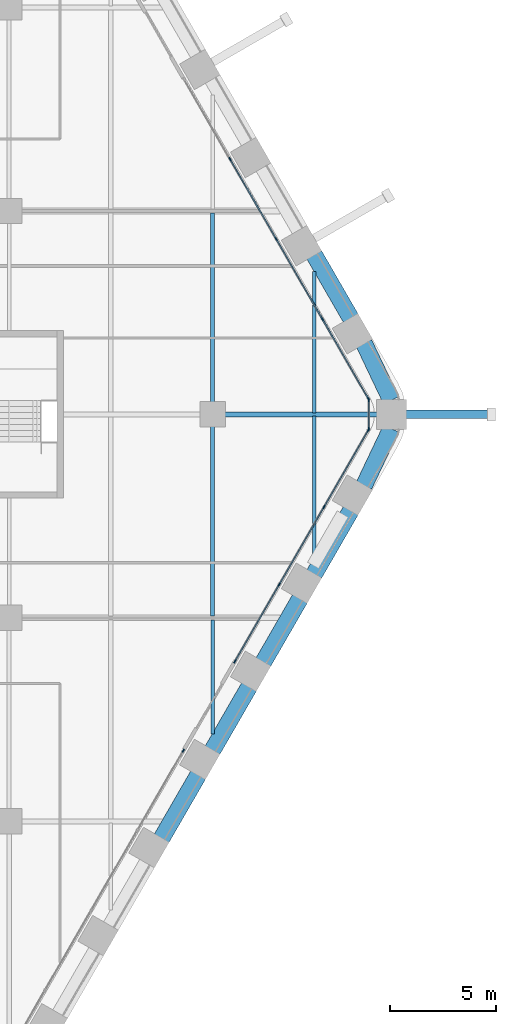
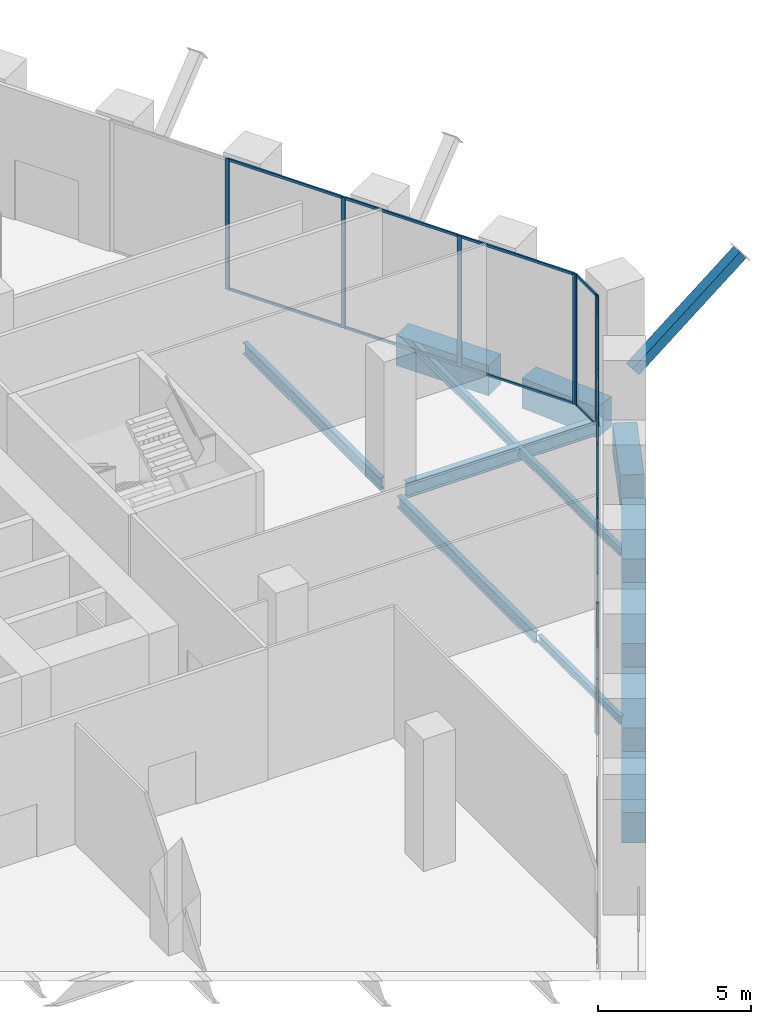
# One storey, part 11 of 29: 26 members, 13 beams, 4 elements without a shape of their own.
"""IFC4 building model written with IfcOpenShell, lengths in metres."""

from ifc_helpers import new_model, si_unit, direction, frame, origin, origin_2d, place, context, subcontext, project, spatial, rectangle, hollow_rectangle, i_section, extrude, material, material_profile, profile_set, type_object, element, aggregate, save


model = new_model("IFC4")

# Units and contexts
model_context = context("Model", 3, precision=1e-05, world=origin(), true_north=direction((0.0, 1.0)))
body_context = subcontext(model_context, "Body", "Model", "MODEL_VIEW")
ifc_project = project(units=[si_unit("LENGTHUNIT", "METRE"), si_unit("AREAUNIT", "SQUARE_METRE"), si_unit("VOLUMEUNIT", "CUBIC_METRE"), si_unit("PLANEANGLEUNIT", "RADIAN"), si_unit("MASSUNIT", "GRAM", prefix="KILO")], contexts=[model_context])

# Site, building, storey
site_placement = place(None, origin())
site = spatial("IfcSite", under=ifc_project, at=site_placement, CompositionType="ELEMENT")
building_placement = place(site_placement, origin())
building = spatial("IfcBuilding", under=site, at=building_placement, Name="Kolab Exchange Tower", CompositionType="ELEMENT")
storey_placement = place(building_placement, frame((0.0, 0.0, 33.39990234375)))
storey = spatial("IfcBuildingStorey", under=building, at=storey_placement, Name="L06", CompositionType="ELEMENT", Elevation=33.39990234375)

# Beams
ifc_material_1 = material(Name="Steel S355", Category="steel")
ifc_material_profile_1 = material_profile(ifc_material_1, i_section(OverallWidth=0.1650390625, OverallDepth=0.31005859375, WebThickness=0.005859375, FlangeThickness=0.009765625, at=origin_2d()), Name="W310X39")
ifc_profile_set_1 = profile_set([ifc_material_profile_1], Name="Steel S355")
beam_type_1 = type_object("IfcBeamType", Name="FLOOR BEAM W310X39", PredefinedType="BEAM", material=ifc_profile_set_1)
beam_1_placement = place(storey_placement, frame((28.800048828125, -15.067626953125, -0.40478515625), z_axis=(0.0, 1.0, 0.0), x_axis=(-1.0, 0.0, 0.0)))
element("IfcBeam", 1, at=beam_1_placement, inside=storey, type_object=beam_type_1, Name="beam/L06/fr/058", PredefinedType="BEAM", context=body_context, shape_type="SweptSolid", body=[
    extrude(i_section(OverallWidth=0.1650390625, OverallDepth=0.31005859375, WebThickness=0.005859375, FlangeThickness=0.009765625, at=origin_2d()), origin(), (0.0, 0.0, 1.0), 5.3740234375),
])
ifc_material_profile_2 = material_profile(ifc_material_1, i_section(OverallWidth=0.1708984375, OverallDepth=0.35498046875, WebThickness=0.007080078125, FlangeThickness=0.01171875, at=origin_2d()), Name="W360X51")
ifc_profile_set_2 = profile_set([ifc_material_profile_2], Name="Steel S355")
beam_type_2 = type_object("IfcBeamType", Name="FLOOR BEAM W360X51", PredefinedType="BEAM", material=ifc_profile_set_2)
for number, where, z_axis, x_axis, name in (
    (2, (33.60009765625, -6.75390625, -0.427490234375), (0.0, 1.0, 0.0), (-1.0, 0.0, 0.0), "beam/L06/fr/062"),
    (3, (33.60009765625, 0.073974609375, -0.427490234375), (0.0, 1.0, 0.0), (-1.0, 0.0, 0.0), "beam/L06/fr/063"),
):
    element("IfcBeam", number, at=place(storey_placement, frame(where, z_axis=z_axis, x_axis=x_axis)), inside=storey, type_object=beam_type_2, Name=name, PredefinedType="BEAM", context=body_context, shape_type="SweptSolid", body=[
        extrude(i_section(OverallWidth=0.1708984375, OverallDepth=0.35498046875, WebThickness=0.007080078125, FlangeThickness=0.01171875, at=origin_2d()), origin(), (0.0, 0.0, 1.0), 6.679931640625),
    ])
ifc_material_profile_3 = material_profile(ifc_material_1, i_section(OverallWidth=0.18994140625, OverallDepth=0.45703125, WebThickness=0.009033203125, FlangeThickness=0.014404296875, at=origin_2d()), Name="W460X74")
ifc_profile_set_3 = profile_set([ifc_material_profile_3], Name="Steel S355")
beam_type_3 = type_object("IfcBeamType", Name="FLOOR BEAM W460X74", PredefinedType="BEAM", material=ifc_profile_set_3)
for number, where, z_axis, x_axis, name in (
    (4, (28.800048828125, -9.506591796875, -0.478515625), (0.0, 1.0, 0.0), (-1.0, 0.0, 0.0), "beam/L06/fr/059"),
    (5, (28.800048828125, 0.56005859375, -0.478515625), (0.0, 1.0, 0.0), (-1.0, 0.0, 0.0), "beam/L06/fr/060"),
):
    element("IfcBeam", number, at=place(storey_placement, frame(where, z_axis=z_axis, x_axis=x_axis)), inside=storey, type_object=beam_type_3, Name=name, PredefinedType="BEAM", context=body_context, shape_type="SweptSolid", body=[
        extrude(i_section(OverallWidth=0.18994140625, OverallDepth=0.45703125, WebThickness=0.009033203125, FlangeThickness=0.014404296875, at=origin_2d()), origin(), (0.0, 0.0, 1.0), 8.946533203125),
    ])
ifc_material_profile_4 = material_profile(ifc_material_1, i_section(OverallWidth=0.22802734375, OverallDepth=0.60791015625, WebThickness=0.01123046875, FlangeThickness=0.017333984375, at=origin_2d()), Name="W610X113")
ifc_profile_set_4 = profile_set([ifc_material_profile_4], Name="Steel S355")
beam_type_4 = type_object("IfcBeamType", Name="FLOOR GIRDER W610X113", PredefinedType="BEAM", material=ifc_profile_set_4)
beam_2_placement = place(storey_placement, frame((29.360107421875, 0.0, -0.553955078125), z_axis=(1.0, 0.0, 0.0), x_axis=(0.0, 1.0, 0.0)))
element("IfcBeam", 6, at=beam_2_placement, inside=storey, type_object=beam_type_4, Name="beam/L06/gd/025", PredefinedType="BEAM", context=body_context, shape_type="SweptSolid", body=[
    extrude(i_section(OverallWidth=0.22802734375, OverallDepth=0.60791015625, WebThickness=0.01123046875, FlangeThickness=0.017333984375, at=origin_2d()), origin(), (0.0, 0.0, 1.0), 7.2158203125),
])

# Member
ifc_material_profile_5 = material_profile(ifc_material_1, hollow_rectangle(XDim=0.39990234375, YDim=0.39990234375, WallThickness=0.02001953125, at=origin_2d()), Name="HSS400X400X20")
ifc_profile_set_5 = profile_set([ifc_material_profile_5], Name="Steel S355")
member_type_1 = type_object("IfcMemberType", Name="LEDGE STRUT HSS400X400X20", PredefinedType="STRUT", material=ifc_profile_set_5)
member_1_placement = place(storey_placement, frame((37.89599609375, 0.0, 1.22802734375), z_axis=(0.780100108705, 0.0, 0.625654713399), x_axis=(0.0, 1.0, 0.0)))
element("IfcMember", 7, at=member_1_placement, inside=storey, type_object=member_type_1, Name="mem/L06/ledge/strut-8", PredefinedType="STRUT", context=body_context, shape_type="SweptSolid", body=[
    extrude(hollow_rectangle(XDim=0.39990234375, YDim=0.39990234375, WallThickness=0.02001953125, at=origin_2d()), origin(), (0.0, 0.0, 1.0), 5.178466796875),
])

# Beams
ifc_material_2 = material(Name="Concrete C80/95", Category="concrete")
ifc_material_profile_6 = material_profile(ifc_material_2, rectangle(XDim=0.800048828125, YDim=1.199951171875, at=origin_2d()), Name="RC800X1200")
ifc_profile_set_6 = profile_set([ifc_material_profile_6], Name="Concrete C80/95")
beam_type_5 = type_object("IfcBeamType", Name="SPANDREL BEAM 800X1200 C80/95", PredefinedType="BEAM", material=ifc_profile_set_6)
beam_3_placement = place(storey_placement, frame((33.58349609375, 7.542236328125, -0.849853515625), z_axis=(0.500009906705, -0.86601968407, 0.0), x_axis=(0.86601968407, 0.500009906705, 0.0)))
element("IfcBeam", 8, at=beam_3_placement, inside=storey, type_object=beam_type_5, Name="beam/L06/sp/F2-07", PredefinedType="BEAM", context=body_context, shape_type="SweptSolid", body=[
    extrude(rectangle(XDim=0.800048828125, YDim=1.199951171875, at=origin_2d()), origin(), (0.0, 0.0, 1.0), 3.47998046875),
])
for number, where, z_axis, x_axis, name in (
    (9, (35.93798828125, 3.35888671875, -0.849853515625), (0.429555669245, -0.903040379507, 0.0), (0.903040379507, 0.429555669245, 0.0), "beam/L06/sp/F2-08"),
    (10, (37.219970703125, -0.663818359375, -0.849853515625), (-0.429555669245, -0.903040379507, 0.0), (0.903040379507, -0.429555669245, 0.0), "beam/L06/sp/F3-01"),
):
    element("IfcBeam", number, at=place(storey_placement, frame(where, z_axis=z_axis, x_axis=x_axis)), inside=storey, type_object=beam_type_5, Name=name, PredefinedType="BEAM", context=body_context, shape_type="SweptSolid", body=[
        extrude(rectangle(XDim=0.800048828125, YDim=1.199951171875, at=origin_2d()), origin(), (0.0, 0.0, 1.0), 2.984375),
    ])
beam_4_placement = place(storey_placement, frame((35.323486328125, -4.528564453125, -0.849853515625), z_axis=(-0.500009906705, -0.86601968407, 0.0), x_axis=(0.86601968407, -0.500009906705, 0.0)))
element("IfcBeam", 11, at=beam_4_placement, inside=storey, type_object=beam_type_5, Name="beam/L06/sp/F3-02", PredefinedType="BEAM", context=body_context, shape_type="SweptSolid", body=[
    extrude(rectangle(XDim=0.800048828125, YDim=1.199951171875, at=origin_2d()), origin(), (0.0, 0.0, 1.0), 3.47998046875),
])
for number, where, z_axis, x_axis, name in (
    (12, (32.923583984375, -8.685302734375, -0.849853515625), (-0.499979528911, -0.866037222451, 0.0), (0.866037222451, -0.499979528911, 0.0), "beam/L06/sp/F3-03"),
    (13, (30.523681640625, -12.84228515625, -0.849853515625), (-0.499979528911, -0.866037222451, 0.0), (0.866037222451, -0.499979528911, 0.0), "beam/L06/sp/F3-04"),
):
    element("IfcBeam", number, at=place(storey_placement, frame(where, z_axis=z_axis, x_axis=x_axis)), inside=storey, type_object=beam_type_5, Name=name, PredefinedType="BEAM", context=body_context, shape_type="SweptSolid", body=[
        extrude(rectangle(XDim=0.800048828125, YDim=1.199951171875, at=origin_2d()), origin(), (0.0, 0.0, 1.0), 3.480224609375),
    ])
beam_5_placement = place(storey_placement, frame((28.12353515625, -16.999267578125, -0.849853515625), z_axis=(-0.500009906705, -0.86601968407, 0.0), x_axis=(0.86601968407, -0.500009906705, 0.0)))
element("IfcBeam", 14, at=beam_5_placement, inside=storey, type_object=beam_type_5, Name="beam/L06/sp/F3-05", PredefinedType="BEAM", context=body_context, shape_type="SweptSolid", body=[
    extrude(rectangle(XDim=0.800048828125, YDim=1.199951171875, at=origin_2d()), origin(), (0.0, 0.0, 1.0), 3.47998046875),
])

# Curtain wall, members
ifc_material_3 = material(Name="Aluminium EN AW-6063 T6", Category="aluminium")
curtain_wall_type = type_object("IfcCurtainWallType", Name="UNITISED LOW ZONE CURTAIN WALL", PredefinedType="NOTDEFINED", material=ifc_material_3)
curtain_wall_1_placement = place(storey_placement, origin())
curtain_wall_1 = element("IfcCurtainWall", 15, at=curtain_wall_1_placement, inside=storey, type_object=curtain_wall_type, Name="cw/L06/F2-2", PredefinedType="NOTDEFINED")
ifc_material_profile_7 = material_profile(ifc_material_3, rectangle(XDim=0.06005859375, YDim=0.159912109375, at=origin_2d()), Name="RECT 60X160")
ifc_profile_set_7 = profile_set([ifc_material_profile_7], Name="Aluminium EN AW-6063 T6")
member_type_2 = type_object("IfcMemberType", Name="UNITISED LOW ZONE MULLION 60 X 160", PredefinedType="MULLION", material=ifc_profile_set_7)
member_2_placement = place(storey_placement, frame((29.615234375, 12.0556640625, 0.0), z_axis=(0.0, 0.0, 1.0), x_axis=(0.866025422102, 0.499999968274, 0.0)))
member_2 = element("IfcMember", 16, at=member_2_placement, type_object=member_type_2, Name="CW1 mullion 2", PredefinedType="MULLION", context=body_context, shape_type="SweptSolid", body=[
    extrude(rectangle(XDim=0.06005859375, YDim=0.159912109375, at=origin_2d()), origin(), (0.0, 0.0, 1.0), 5.2001953125),
])
member_3_placement = place(storey_placement, frame((31.798583984375, 8.27392578125, 0.0), z_axis=(0.0, 0.0, 1.0), x_axis=(0.866025422102, 0.499999968274, 0.0)))
member_3 = element("IfcMember", 17, at=member_3_placement, type_object=member_type_2, Name="CW1 mullion 3", PredefinedType="MULLION", context=body_context, shape_type="SweptSolid", body=[
    extrude(rectangle(XDim=0.06005859375, YDim=0.159912109375, at=origin_2d()), origin(), (0.0, 0.0, 1.0), 5.2001953125),
])
member_4_placement = place(storey_placement, frame((33.982177734375, 4.491943359375, 0.0), z_axis=(0.0, 0.0, 1.0), x_axis=(0.866025422102, 0.499999968274, 0.0)))
member_4 = element("IfcMember", 18, at=member_4_placement, type_object=member_type_2, Name="CW1 mullion 4", PredefinedType="MULLION", context=body_context, shape_type="SweptSolid", body=[
    extrude(rectangle(XDim=0.06005859375, YDim=0.159912109375, at=origin_2d()), origin(), (0.0, 0.0, 1.0), 5.2001953125),
])
member_5_placement = place(storey_placement, frame((36.150634765625, 0.736083984375, 0.0), z_axis=(0.0, 0.0, 1.0), x_axis=(0.866025422102, 0.499999968274, 0.0)))
member_5 = element("IfcMember", 19, at=member_5_placement, type_object=member_type_2, Name="CW1 mullion 5", PredefinedType="MULLION", context=body_context, shape_type="SweptSolid", body=[
    extrude(rectangle(XDim=0.06005859375, YDim=0.159912109375, at=origin_2d()), origin(), (0.0, 0.0, 1.0), 5.2001953125),
])

curtain_wall_2_placement = place(storey_placement, origin())
curtain_wall_2 = element("IfcCurtainWall", 20, at=curtain_wall_2_placement, inside=storey, type_object=curtain_wall_type, Name="cw/L06/F3-1", PredefinedType="NOTDEFINED")
member_6_placement = place(storey_placement, frame((36.150634765625, -0.736083984375, 0.0), z_axis=(0.0, 0.0, 1.0), x_axis=(0.866025427826, -0.499999958358, 0.0)))
member_6 = element("IfcMember", 21, at=member_6_placement, type_object=member_type_2, Name="CW1 mullion 1", PredefinedType="MULLION", context=body_context, shape_type="SweptSolid", body=[
    extrude(rectangle(XDim=0.06005859375, YDim=0.159912109375, at=origin_2d()), origin(), (0.0, 0.0, 1.0), 5.2001953125),
])
member_7_placement = place(storey_placement, frame((34.054443359375, -4.366943359375, 0.0), z_axis=(0.0, 0.0, 1.0), x_axis=(0.866025427826, -0.499999958358, 0.0)))
member_7 = element("IfcMember", 22, at=member_7_placement, type_object=member_type_2, Name="CW1 mullion 2", PredefinedType="MULLION", context=body_context, shape_type="SweptSolid", body=[
    extrude(rectangle(XDim=0.06005859375, YDim=0.159912109375, at=origin_2d()), origin(), (0.0, 0.0, 1.0), 5.2001953125),
])
member_8_placement = place(storey_placement, frame((31.943115234375, -8.02392578125, 0.0), z_axis=(0.0, 0.0, 1.0), x_axis=(0.866025427826, -0.499999958358, 0.0)))
member_8 = element("IfcMember", 23, at=member_8_placement, type_object=member_type_2, Name="CW1 mullion 3", PredefinedType="MULLION", context=body_context, shape_type="SweptSolid", body=[
    extrude(rectangle(XDim=0.06005859375, YDim=0.159912109375, at=origin_2d()), origin(), (0.0, 0.0, 1.0), 5.2001953125),
])
member_9_placement = place(storey_placement, frame((29.8466796875, -11.65478515625, 0.0), z_axis=(0.0, 0.0, 1.0), x_axis=(0.866025427826, -0.499999958358, 0.0)))
member_9 = element("IfcMember", 24, at=member_9_placement, type_object=member_type_2, Name="CW1 mullion 4", PredefinedType="MULLION", context=body_context, shape_type="SweptSolid", body=[
    extrude(rectangle(XDim=0.06005859375, YDim=0.159912109375, at=origin_2d()), origin(), (0.0, 0.0, 1.0), 5.2001953125),
])

# Curtain wall, member
curtain_wall_3_placement = place(storey_placement, origin())
curtain_wall_3 = element("IfcCurtainWall", 25, at=curtain_wall_3_placement, inside=storey, type_object=curtain_wall_type, Name="cw/L06/F3-2", PredefinedType="NOTDEFINED")
member_10_placement = place(storey_placement, frame((27.416748046875, -15.86376953125, 0.0), z_axis=(0.0, 0.0, 1.0), x_axis=(0.866025397318, -0.5000000112, 0.0)))
member_10 = element("IfcMember", 26, at=member_10_placement, type_object=member_type_2, Name="CW1 mullion 1", PredefinedType="MULLION", context=body_context, shape_type="SweptSolid", body=[
    extrude(rectangle(XDim=0.06005859375, YDim=0.159912109375, at=origin_2d()), origin(), (0.0, 0.0, 1.0), 5.2001953125),
])
aggregate(curtain_wall_3, [member_10])

# Curtain wall, members
curtain_wall_4_placement = place(storey_placement, origin())
curtain_wall_4 = element("IfcCurtainWall", 27, at=curtain_wall_4_placement, inside=storey, type_object=curtain_wall_type, Name="cw/L06/F2F3-corner", PredefinedType="NOTDEFINED")
member_11_placement = place(storey_placement, frame((36.165771484375, 0.679931640625, 0.0), z_axis=(0.0, 0.0, 1.0), x_axis=(1.0, 0.0, 0.0)))
member_11 = element("IfcMember", 28, at=member_11_placement, type_object=member_type_2, Name="CW1 mullion 1", PredefinedType="MULLION", context=body_context, shape_type="SweptSolid", body=[
    extrude(rectangle(XDim=0.06005859375, YDim=0.159912109375, at=origin_2d()), origin(), (0.0, 0.0, 1.0), 5.2001953125),
])
member_12_placement = place(storey_placement, frame((36.165771484375, -0.679931640625, 0.0), z_axis=(0.0, 0.0, 1.0), x_axis=(1.0, 0.0, 0.0)))
member_12 = element("IfcMember", 29, at=member_12_placement, type_object=member_type_2, Name="CW1 mullion 2", PredefinedType="MULLION", context=body_context, shape_type="SweptSolid", body=[
    extrude(rectangle(XDim=0.06005859375, YDim=0.159912109375, at=origin_2d()), origin(), (0.0, 0.0, 1.0), 5.2001953125),
])

# Member
ifc_material_profile_8 = material_profile(ifc_material_3, rectangle(XDim=0.06005859375, YDim=0.10009765625, at=origin_2d()), Name="RECT 60X100")
ifc_profile_set_8 = profile_set([ifc_material_profile_8], Name="Aluminium EN AW-6063 T6")
member_type_3 = type_object("IfcMemberType", Name="UNITISED LOW ZONE TRANSOM 60 X 100", PredefinedType="USERDEFINED", material=ifc_profile_set_8)
member_13_placement = place(storey_placement, frame((29.630126953125, 12.02978515625, 0.030029296875), z_axis=(0.500010313095, -0.866019449435, 0.0), x_axis=(0.866019449435, 0.500010313095, 0.0)))
member_13 = element("IfcMember", 30, at=member_13_placement, type_object=member_type_3, Name="CW1 transom 2.1", ObjectType="TRANSOM", PredefinedType="USERDEFINED", context=body_context, shape_type="SweptSolid", body=[
    extrude(rectangle(XDim=0.06005859375, YDim=0.10009765625, at=origin_2d()), origin(), (0.0, 0.0, 1.0), 4.30712890625),
])

member_14_placement = place(storey_placement, frame((29.630126953125, 12.02978515625, 5.170166015625), z_axis=(0.500010313095, -0.866019449435, 0.0), x_axis=(0.866019449435, 0.500010313095, 0.0)))
member_14 = element("IfcMember", 31, at=member_14_placement, type_object=member_type_3, Name="CW1 transom 2.2", ObjectType="TRANSOM", PredefinedType="USERDEFINED", context=body_context, shape_type="SweptSolid", body=[
    extrude(rectangle(XDim=0.06005859375, YDim=0.10009765625, at=origin_2d()), origin(), (0.0, 0.0, 1.0), 4.30712890625),
])

member_15_placement = place(storey_placement, frame((31.813720703125, 8.247802734375, 0.030029296875), z_axis=(0.499967798808, -0.866043994353, 0.0), x_axis=(0.866043994353, 0.499967798808, 0.0)))
member_15 = element("IfcMember", 32, at=member_15_placement, type_object=member_type_3, Name="CW1 transom 3.1", ObjectType="TRANSOM", PredefinedType="USERDEFINED", context=body_context, shape_type="SweptSolid", body=[
    extrude(rectangle(XDim=0.06005859375, YDim=0.10009765625, at=origin_2d()), origin(), (0.0, 0.0, 1.0), 4.306884765625),
])

member_16_placement = place(storey_placement, frame((31.813720703125, 8.247802734375, 5.170166015625), z_axis=(0.499967798808, -0.866043994353, 0.0), x_axis=(0.866043994353, 0.499967798808, 0.0)))
member_16 = element("IfcMember", 33, at=member_16_placement, type_object=member_type_3, Name="CW1 transom 3.2", ObjectType="TRANSOM", PredefinedType="USERDEFINED", context=body_context, shape_type="SweptSolid", body=[
    extrude(rectangle(XDim=0.06005859375, YDim=0.10009765625, at=origin_2d()), origin(), (0.0, 0.0, 1.0), 4.306884765625),
])

member_17_placement = place(storey_placement, frame((33.9970703125, 4.4658203125, 0.030029296875), z_axis=(0.500043627578, -0.866000213925, 0.0), x_axis=(0.866000213925, 0.500043627578, 0.0)))
member_17 = element("IfcMember", 34, at=member_17_placement, type_object=member_type_3, Name="CW1 transom 4.1", ObjectType="TRANSOM", PredefinedType="USERDEFINED", context=body_context, shape_type="SweptSolid", body=[
    extrude(rectangle(XDim=0.06005859375, YDim=0.10009765625, at=origin_2d()), origin(), (0.0, 0.0, 1.0), 4.27685546875),
])

member_18_placement = place(storey_placement, frame((33.9970703125, 4.4658203125, 5.170166015625), z_axis=(0.500043627578, -0.866000213925, 0.0), x_axis=(0.866000213925, 0.500043627578, 0.0)))
member_18 = element("IfcMember", 35, at=member_18_placement, type_object=member_type_3, Name="CW1 transom 4.2", ObjectType="TRANSOM", PredefinedType="USERDEFINED", context=body_context, shape_type="SweptSolid", body=[
    extrude(rectangle(XDim=0.06005859375, YDim=0.10009765625, at=origin_2d()), origin(), (0.0, 0.0, 1.0), 4.27685546875),
])

aggregate(curtain_wall_1, [member_2, member_3, member_4, member_5, member_13, member_14, member_15, member_16, member_17, member_18])

member_19_placement = place(storey_placement, frame((36.1357421875, -0.761962890625, 0.030029296875), z_axis=(-0.500027577057, -0.866009481578, 0.0), x_axis=(0.866009481578, -0.500027577057, 0.0)))
member_19 = element("IfcMember", 36, at=member_19_placement, type_object=member_type_3, Name="CW1 transom 1.1", ObjectType="TRANSOM", PredefinedType="USERDEFINED", context=body_context, shape_type="SweptSolid", body=[
    extrude(rectangle(XDim=0.06005859375, YDim=0.10009765625, at=origin_2d()), origin(), (0.0, 0.0, 1.0), 4.132568359375),
])

member_20_placement = place(storey_placement, frame((36.1357421875, -0.761962890625, 5.170166015625), z_axis=(-0.500027577057, -0.866009481578, 0.0), x_axis=(0.866009481578, -0.500027577057, 0.0)))
member_20 = element("IfcMember", 37, at=member_20_placement, type_object=member_type_3, Name="CW1 transom 1.2", ObjectType="TRANSOM", PredefinedType="USERDEFINED", context=body_context, shape_type="SweptSolid", body=[
    extrude(rectangle(XDim=0.06005859375, YDim=0.10009765625, at=origin_2d()), origin(), (0.0, 0.0, 1.0), 4.132568359375),
])

member_21_placement = place(storey_placement, frame((34.039306640625, -4.392822265625, 0.030029296875), z_axis=(-0.49999322259, -0.866029316688, 0.0), x_axis=(0.866029316688, -0.49999322259, 0.0)))
member_21 = element("IfcMember", 38, at=member_21_placement, type_object=member_type_3, Name="CW1 transom 2.1", ObjectType="TRANSOM", PredefinedType="USERDEFINED", context=body_context, shape_type="SweptSolid", body=[
    extrude(rectangle(XDim=0.06005859375, YDim=0.10009765625, at=origin_2d()), origin(), (0.0, 0.0, 1.0), 4.16259765625),
])

member_22_placement = place(storey_placement, frame((34.039306640625, -4.392822265625, 5.170166015625), z_axis=(-0.49999322259, -0.866029316688, 0.0), x_axis=(0.866029316688, -0.49999322259, 0.0)))
member_22 = element("IfcMember", 39, at=member_22_placement, type_object=member_type_3, Name="CW1 transom 2.2", ObjectType="TRANSOM", PredefinedType="USERDEFINED", context=body_context, shape_type="SweptSolid", body=[
    extrude(rectangle(XDim=0.06005859375, YDim=0.10009765625, at=origin_2d()), origin(), (0.0, 0.0, 1.0), 4.16259765625),
])

member_23_placement = place(storey_placement, frame((31.927978515625, -8.0498046875, 0.030029296875), z_axis=(-0.500001996123, -0.866024251319, 0.0), x_axis=(0.866024251319, -0.500001996123, 0.0)))
member_23 = element("IfcMember", 40, at=member_23_placement, type_object=member_type_3, Name="CW1 transom 3.1", ObjectType="TRANSOM", PredefinedType="USERDEFINED", context=body_context, shape_type="SweptSolid", body=[
    extrude(rectangle(XDim=0.06005859375, YDim=0.10009765625, at=origin_2d()), origin(), (0.0, 0.0, 1.0), 4.1328125),
])

member_24_placement = place(storey_placement, frame((31.927978515625, -8.0498046875, 5.170166015625), z_axis=(-0.500001996123, -0.866024251319, 0.0), x_axis=(0.866024251319, -0.500001996123, 0.0)))
member_24 = element("IfcMember", 41, at=member_24_placement, type_object=member_type_3, Name="CW1 transom 3.2", ObjectType="TRANSOM", PredefinedType="USERDEFINED", context=body_context, shape_type="SweptSolid", body=[
    extrude(rectangle(XDim=0.06005859375, YDim=0.10009765625, at=origin_2d()), origin(), (0.0, 0.0, 1.0), 4.1328125),
])

aggregate(curtain_wall_2, [member_6, member_7, member_8, member_9, member_19, member_20, member_21, member_22, member_23, member_24])

member_25_placement = place(storey_placement, frame((36.165771484375, 0.64990234375, 0.030029296875), z_axis=(0.0, -1.0, 0.0), x_axis=(1.0, 0.0, 0.0)))
member_25 = element("IfcMember", 42, at=member_25_placement, type_object=member_type_3, Name="CW1 transom 1.1", ObjectType="TRANSOM", PredefinedType="USERDEFINED", context=body_context, shape_type="SweptSolid", body=[
    extrude(rectangle(XDim=0.06005859375, YDim=0.10009765625, at=origin_2d()), origin(), (0.0, 0.0, 1.0), 1.2998046875),
])

member_26_placement = place(storey_placement, frame((36.165771484375, 0.64990234375, 5.170166015625), z_axis=(0.0, -1.0, 0.0), x_axis=(1.0, 0.0, 0.0)))
member_26 = element("IfcMember", 43, at=member_26_placement, type_object=member_type_3, Name="CW1 transom 1.2", ObjectType="TRANSOM", PredefinedType="USERDEFINED", context=body_context, shape_type="SweptSolid", body=[
    extrude(rectangle(XDim=0.06005859375, YDim=0.10009765625, at=origin_2d()), origin(), (0.0, 0.0, 1.0), 1.2998046875),
])

aggregate(curtain_wall_4, [member_11, member_12, member_25, member_26])

save(model, "model.ifc")
